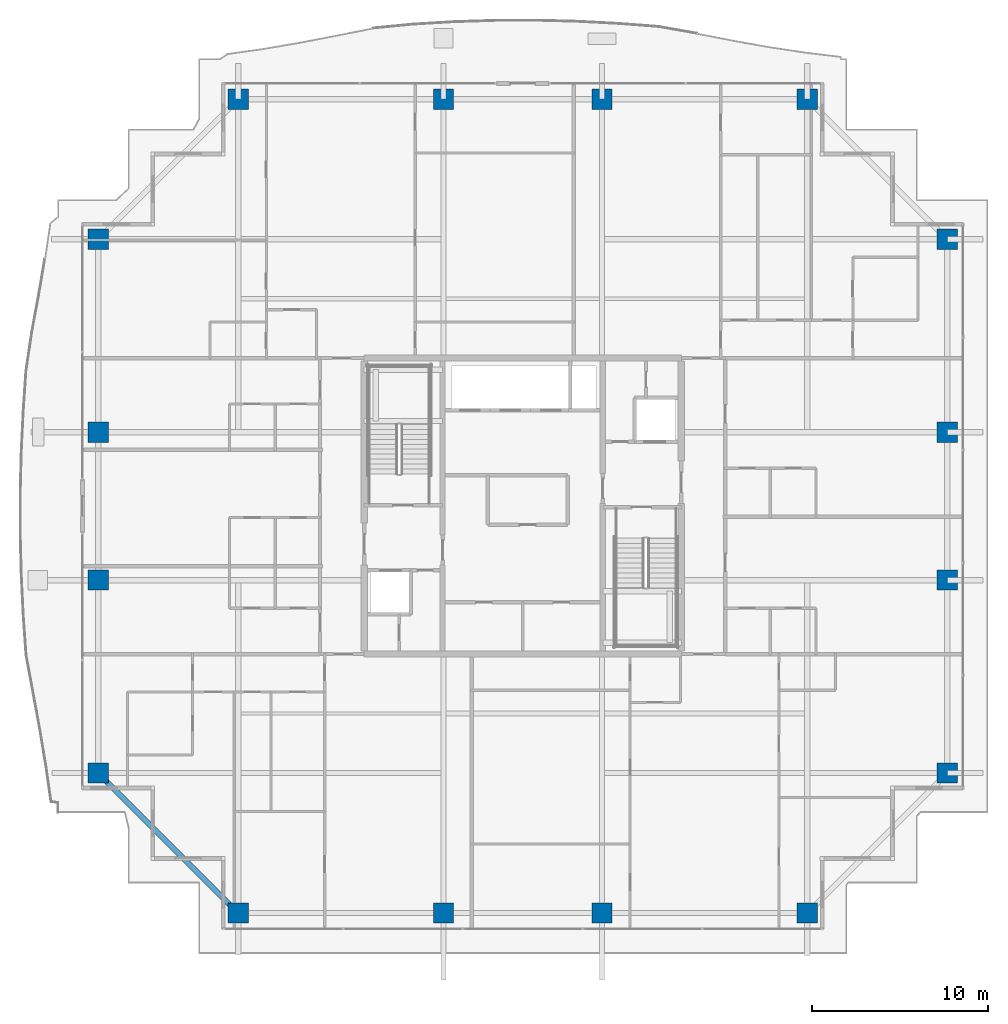
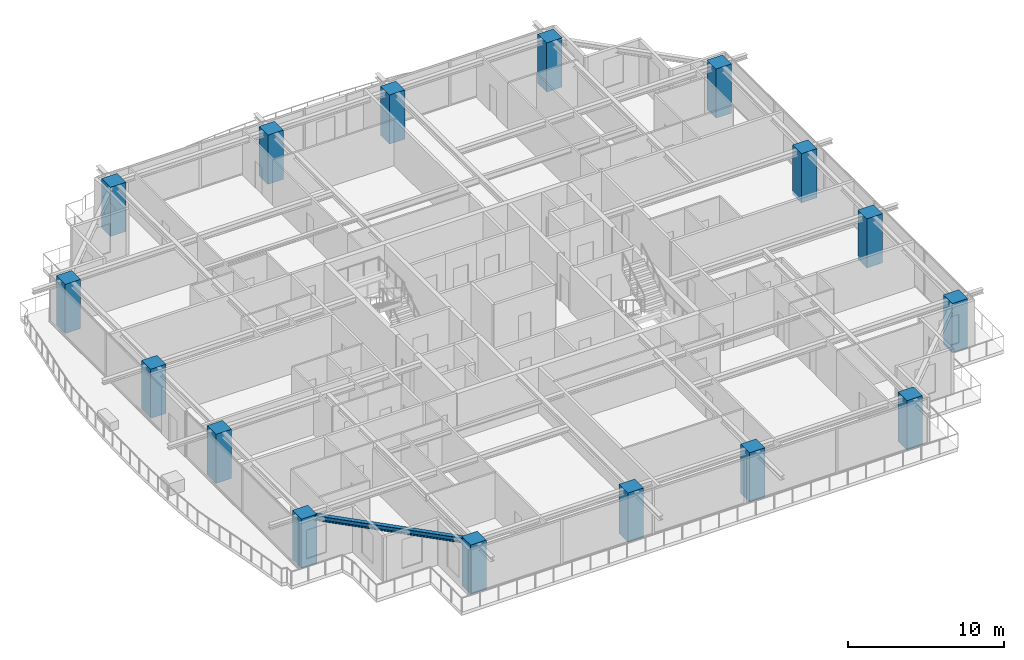
# One storey, part 1 of 38: 16 columns, 1 beam.
"""IFC4 building model written with IfcOpenShell, lengths in metres."""

from ifc_helpers import new_model, si_unit, direction, frame, origin, origin_2d, place, context, subcontext, project, spatial, rectangle, i_section, extrude, source, transform, mapped, material, material_profile, profile_set, type_object, element, save


model = new_model("IFC4")

# Units and contexts
model_context = context("Model", 3, precision=1e-05, world=origin(), true_north=direction((0.0, 1.0)))
body_context = subcontext(model_context, "Body", "Model", "MODEL_VIEW")
ifc_project = project(units=[si_unit("LENGTHUNIT", "METRE"), si_unit("AREAUNIT", "SQUARE_METRE"), si_unit("VOLUMEUNIT", "CUBIC_METRE"), si_unit("PLANEANGLEUNIT", "RADIAN"), si_unit("MASSUNIT", "GRAM", prefix="KILO")], contexts=[model_context])

# Site, building, storey
site_placement = place(None, origin())
site = spatial("IfcSite", under=ifc_project, at=site_placement, CompositionType="ELEMENT")
building_placement = place(site_placement, origin())
building = spatial("IfcBuilding", under=site, at=building_placement, Name="Serunith Strait Residences", CompositionType="ELEMENT")
storey_placement = place(building_placement, frame((0.0, 0.0, 237.39990234375)))
storey = spatial("IfcBuildingStorey", under=building, at=storey_placement, Name="L59", CompositionType="ELEMENT", Elevation=237.39990234375)

# Columns
ifc_material_1 = material(Name="Concrete C80/95", Category="concrete")
ifc_material_profile_1 = material_profile(ifc_material_1, rectangle(XDim=1.14990234375, YDim=1.14990234375, at=origin_2d()), Name="RC 1150x1150")
ifc_profile_set_1 = profile_set([ifc_material_profile_1], Name="Concrete C80/95")
column_type = type_object("IfcColumnType", Name="COL-RC-1150", PredefinedType="COLUMN", material=ifc_profile_set_1)
shared_shape_1 = source(origin(), body_context, "Body", "SweptSolid", [
    extrude(rectangle(XDim=1.14990234375, YDim=1.14990234375, at=origin_2d()), origin(), (0.0, 0.0, 1.0), 3.85009765625),
])
for number, where, z_axis, x_axis, name in (
    (1, (16.25, 2.10009765625, -0.260009765625), (0.0, 0.0, 1.0), (1.0, 0.0, 0.0), "L59 Tower Mega-Column TC-S1"),
    (2, (27.89990234375, 2.10009765625, -0.260009765625), (0.0, 0.0, 1.0), (1.0, 0.0, 0.0), "L59 Tower Mega-Column TC-S2"),
    (3, (36.89990234375, 2.10009765625, -0.260009765625), (0.0, 0.0, 1.0), (1.0, 0.0, 0.0), "L59 Tower Mega-Column TC-S3"),
    (4, (48.550048828125, 2.10009765625, -0.260009765625), (0.0, 0.0, 1.0), (1.0, 0.0, 0.0), "L59 Tower Mega-Column TC-S4"),
    (5, (16.25, 48.300048828125, -0.260009765625), (0.0, 0.0, 1.0), (1.0, 0.0, 0.0), "L59 Tower Mega-Column TC-N1"),
    (6, (27.89990234375, 48.300048828125, -0.260009765625), (0.0, 0.0, 1.0), (1.0, 0.0, 0.0), "L59 Tower Mega-Column TC-N2"),
    (7, (36.89990234375, 48.300048828125, -0.260009765625), (0.0, 0.0, 1.0), (1.0, 0.0, 0.0), "L59 Tower Mega-Column TC-N3"),
    (8, (48.550048828125, 48.300048828125, -0.260009765625), (0.0, 0.0, 1.0), (1.0, 0.0, 0.0), "L59 Tower Mega-Column TC-N4"),
    (9, (56.5, 10.050048828125, -0.260009765625), (0.0, 0.0, 1.0), (1.0, 0.0, 0.0), "L59 Tower Mega-Column TC-E1"),
    (10, (56.5, 21.0, -0.260009765625), (0.0, 0.0, 1.0), (1.0, 0.0, 0.0), "L59 Tower Mega-Column TC-E2"),
    (11, (56.5, 29.39990234375, -0.260009765625), (0.0, 0.0, 1.0), (1.0, 0.0, 0.0), "L59 Tower Mega-Column TC-E3"),
    (12, (56.5, 40.35009765625, -0.260009765625), (0.0, 0.0, 1.0), (1.0, 0.0, 0.0), "L59 Tower Mega-Column TC-E4"),
    (13, (8.300048828125, 10.050048828125, -0.260009765625), (0.0, 0.0, 1.0), (1.0, 0.0, 0.0), "L59 Tower Mega-Column TC-W1"),
    (14, (8.300048828125, 21.0, -0.260009765625), (0.0, 0.0, 1.0), (1.0, 0.0, 0.0), "L59 Tower Mega-Column TC-W2"),
    (15, (8.300048828125, 29.39990234375, -0.260009765625), (0.0, 0.0, 1.0), (1.0, 0.0, 0.0), "L59 Tower Mega-Column TC-W3"),
    (16, (8.300048828125, 40.35009765625, -0.260009765625), (0.0, 0.0, 1.0), (1.0, 0.0, 0.0), "L59 Tower Mega-Column TC-W4"),
):
    element("IfcColumn", number, at=place(storey_placement, frame(where, z_axis=z_axis, x_axis=x_axis)), inside=storey, type_object=column_type, Name=name, PredefinedType="COLUMN", context=body_context, shape_type="MappedRepresentation", body=[
        mapped(shared_shape_1, transform((0.0, 0.0, 0.0), scale=1.0)),
    ])

# Beam
ifc_material_2 = material(Name="Steel S355J2", Category="steel")
ifc_material_profile_2 = material_profile(ifc_material_2, i_section(OverallWidth=0.300048828125, OverallDepth=0.39990234375, WebThickness=0.013427734375, FlangeThickness=0.02392578125, FilletRadius=0.027099609375, at=origin_2d()), Name="HEB 400")
ifc_profile_set_2 = profile_set([ifc_material_profile_2], Name="Steel S355J2")
beam_type = type_object("IfcBeamType", Name="BM-HEB400", PredefinedType="BEAM", material=ifc_profile_set_2)
shared_shape_2 = source(origin(), body_context, "Body", "SweptSolid", [
    extrude(i_section(OverallWidth=0.300048828125, OverallDepth=0.39990234375, WebThickness=0.013427734375, FlangeThickness=0.02392578125, FilletRadius=0.027099609375, at=origin_2d()), origin(), (0.0, 0.0, 1.0), 11.242919921875),
])
beam_placement = place(storey_placement, frame((8.300048828125, 10.050048828125, 3.357177734375), z_axis=(0.707106781187, -0.707106781187, 0.0), x_axis=(0.707106781187, 0.707106781187, 0.0)))
element("IfcBeam", 17, at=beam_placement, inside=storey, type_object=beam_type, Name="L59 Perimeter Ring Beam 16", PredefinedType="BEAM", context=body_context, shape_type="MappedRepresentation", body=[
    mapped(shared_shape_2, transform((0.0, 0.0, 0.0), scale=1.0)),
])

save(model, "model.ifc")
